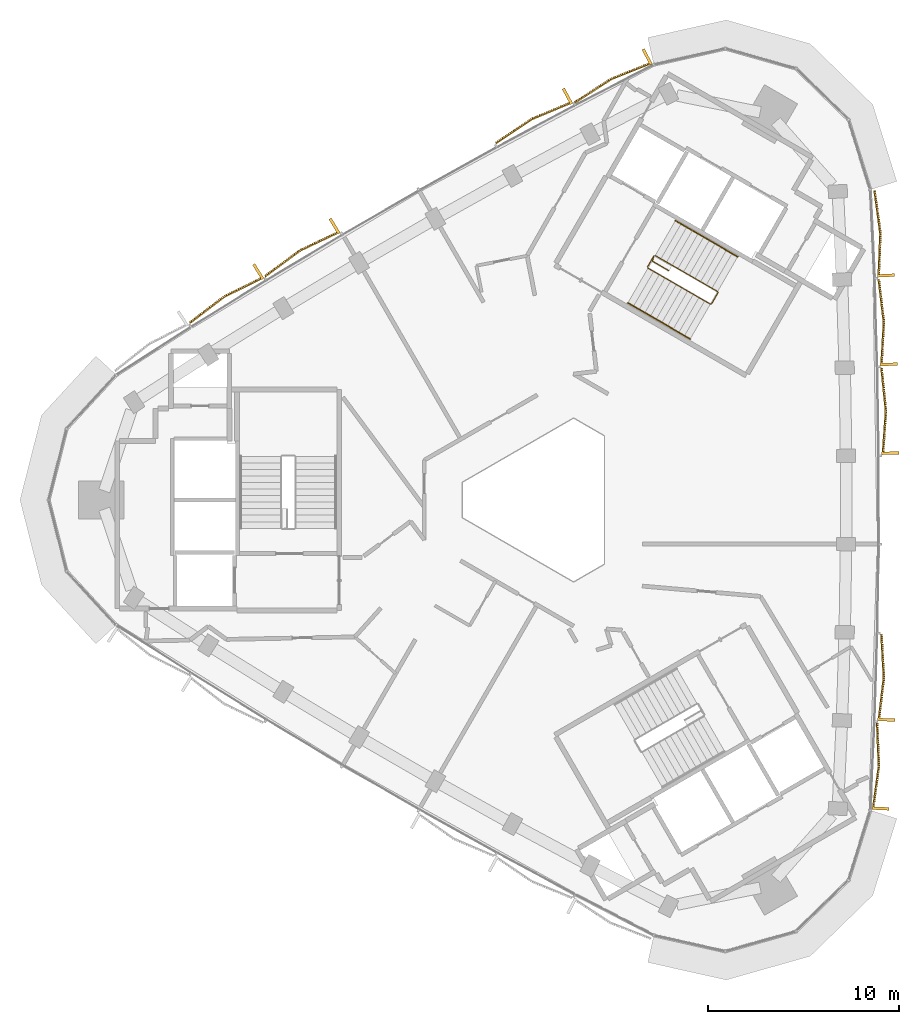
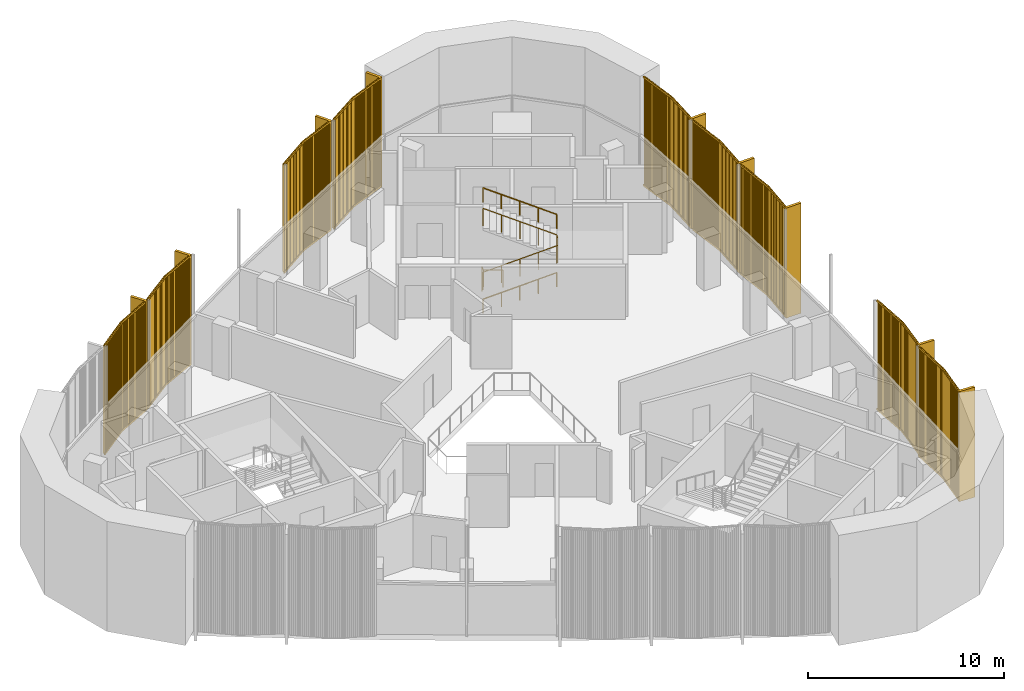
# One storey, part 12 of 13: 9 coverings, 3 railings.
"""IFC4 building model written with IfcOpenShell, lengths in metres."""

from ifc_helpers import new_model, si_unit, direction, frame, frame_2d, origin, origin_2d, place, context, subcontext, project, spatial, rectangle, circle, extrude, source, transform, mapped, material, type_object, element, save


model = new_model("IFC4")

# Units and contexts
model_context = context("Model", 3, precision=1e-05, world=origin(), true_north=direction((0.0, 1.0)))
body_context = subcontext(model_context, "Body", "Model", "MODEL_VIEW")
ifc_project = project(units=[si_unit("LENGTHUNIT", "METRE"), si_unit("AREAUNIT", "SQUARE_METRE"), si_unit("VOLUMEUNIT", "CUBIC_METRE"), si_unit("PLANEANGLEUNIT", "RADIAN"), si_unit("MASSUNIT", "GRAM", prefix="KILO")], contexts=[model_context])

# Site, building, storey
site_placement = place(None, origin())
site = spatial("IfcSite", under=ifc_project, at=site_placement, CompositionType="ELEMENT")
building_placement = place(site_placement, origin())
building = spatial("IfcBuilding", under=site, at=building_placement, Name="Tamra Quay Hotel Tower", CompositionType="ELEMENT")
storey_placement = place(building_placement, frame((0.0, 0.0, 291.0)))
storey = spatial("IfcBuildingStorey", under=building, at=storey_placement, Name="L73", CompositionType="ELEMENT", Elevation=291.0)

# Railings
ifc_material_1 = material(Name="Stair guard 1100")
railing_type_1 = type_object("IfcRailingType", Name="Stair guard 1100", PredefinedType="GUARDRAIL", material=ifc_material_1)
railing_1_placement = place(storey_placement, frame((6.38232421875, 11.974853515625, 0.0)))
element("IfcRailing", 1, at=railing_1_placement, inside=storey, type_object=railing_type_1, Name="GR", PredefinedType="GUARDRAIL", context=body_context, shape_type="SweptSolid", body=[
    extrude(circle(Radius=0.02392578125, at=origin_2d()), frame((0.0, 0.0, 1.076171875), z_axis=(-0.866010750942, 0.50002537861, 0.0), x_axis=(-0.50002537861, -0.866010750942, 0.0)), (0.0, 0.0, 1.0), 1.0),
    extrude(circle(Radius=0.02392578125, at=origin_2d()), frame((-0.865966796875, 0.5, 1.076171875), z_axis=(0.274497328085, 0.961587862275, 0.0), x_axis=(-0.961587862275, 0.274497328085, 0.0)), (0.0, 0.0, 1.0), 0.2880859375),
    extrude(circle(Radius=0.02392578125, at=origin_2d()), frame((-0.786865234375, 0.777099609375, 1.076171875), z_axis=(-0.499765215335, -0.866160914346, 0.0), x_axis=(0.866160914346, -0.499765215335, 0.0)), (0.0, 0.0, 1.0), 0.658935546875),
    extrude(circle(Radius=0.02392578125, at=origin_2d()), frame((-1.1162109375, 0.206298828125, 1.076171875), z_axis=(0.110525977783, -0.411156637351, 0.904839338113), x_axis=(0.965715946433, 0.259601060869, 0.0)), (0.0, 0.0, 1.0), 0.165771484375),
    extrude(circle(Radius=0.02392578125, at=origin_2d()), frame((-1.097900390625, 0.13818359375, 1.22607421875), z_axis=(0.79305953016, -0.457922937641, 0.401700342053), x_axis=(0.500040788363, 0.866001853331, 0.0)), (0.0, 0.0, 1.0), 4.10791015625),
    extrude(circle(Radius=0.02392578125, at=origin_2d()), frame((2.159912109375, -1.742919921875, 2.8759765625), z_axis=(0.965948051503, 0.258736085224, 0.0), x_axis=(-0.258736085224, 0.965948051503, 0.0)), (0.0, 0.0, 1.0), 0.07080078125),
    extrude(circle(Radius=0.02392578125, at=origin_2d()), frame((2.228271484375, -1.724609375, 2.8759765625), z_axis=(0.500043078269, 0.866000531106, 0.0), x_axis=(-0.866000531106, 0.500043078269, 0.0)), (0.0, 0.0, 1.0), 0.6591796875),
    extrude(circle(Radius=0.02392578125, at=origin_2d()), frame((2.557861328125, -1.15380859375, 2.8759765625), z_axis=(-0.110525977783, 0.411156637351, 0.904839338113), x_axis=(-0.965715946433, -0.259601060869, 0.0)), (0.0, 0.0, 1.0), 0.165771484375),
    extrude(circle(Radius=0.02392578125, at=origin_2d()), frame((2.53955078125, -1.085693359375, 3.02587890625), z_axis=(-0.793081581205, 0.457901355053, 0.401681409319), x_axis=(-0.500012686397, -0.866018079166, 0.0)), (0.0, 0.0, 1.0), 4.108154296875),
    extrude(circle(Radius=0.02099609375, at=origin_2d()), origin(), (0.0, 0.0, 1.0), 1.052001953125),
    extrude(circle(Radius=0.02099609375, at=origin_2d()), frame((-0.865966796875, 0.5, 0.0)), (0.0, 0.0, 1.0), 1.052001953125),
    extrude(circle(Radius=0.02099609375, at=origin_2d()), frame((-0.786865234375, 0.777099609375, 0.0)), (0.0, 0.0, 1.0), 1.052001953125),
    extrude(circle(Radius=0.02099609375, at=origin_2d()), frame((-1.1162109375, 0.206298828125, 0.0)), (0.0, 0.0, 1.0), 1.052001953125),
    extrude(circle(Radius=0.02099609375, at=origin_2d()), frame((-1.097900390625, 0.13818359375, 0.14990234375)), (0.0, 0.0, 1.0), 1.052001953125),
    extrude(circle(Radius=0.02099609375, at=origin_2d()), frame((-0.283447265625, -0.33203125, 0.5625)), (0.0, 0.0, 1.0), 1.052001953125),
    extrude(circle(Radius=0.02099609375, at=origin_2d()), frame((0.531005859375, -0.80224609375, 0.97509765625)), (0.0, 0.0, 1.0), 1.052001953125),
    extrude(circle(Radius=0.02099609375, at=origin_2d()), frame((1.345458984375, -1.272705078125, 1.387451171875)), (0.0, 0.0, 1.0), 1.052001953125),
    extrude(circle(Radius=0.02099609375, at=origin_2d()), frame((2.159912109375, -1.742919921875, 1.800048828125)), (0.0, 0.0, 1.0), 1.052001953125),
    extrude(circle(Radius=0.02099609375, at=origin_2d()), frame((2.228271484375, -1.724609375, 1.800048828125)), (0.0, 0.0, 1.0), 1.052001953125),
    extrude(circle(Radius=0.02099609375, at=origin_2d()), frame((2.557861328125, -1.15380859375, 1.800048828125)), (0.0, 0.0, 1.0), 1.052001953125),
    extrude(circle(Radius=0.02099609375, at=origin_2d()), frame((2.53955078125, -1.085693359375, 1.949951171875)), (0.0, 0.0, 1.0), 1.052001953125),
    extrude(circle(Radius=0.02099609375, at=origin_2d()), frame((1.72509765625, -0.615478515625, 2.362548828125)), (0.0, 0.0, 1.0), 1.052001953125),
    extrude(circle(Radius=0.02099609375, at=origin_2d()), frame((0.91064453125, -0.14501953125, 2.77490234375)), (0.0, 0.0, 1.0), 1.052001953125),
    extrude(circle(Radius=0.02099609375, at=origin_2d()), frame((0.095947265625, 0.3251953125, 3.1875)), (0.0, 0.0, 1.0), 1.052001953125),
    extrude(circle(Radius=0.02099609375, at=origin_2d()), frame((-0.718505859375, 0.79541015625, 3.60009765625)), (0.0, 0.0, 1.0), 1.052001953125),
])
ifc_material_2 = material(Name="Stair handrail 900")
railing_type_2 = type_object("IfcRailingType", Name="Stair handrail 900", PredefinedType="HANDRAIL", material=ifc_material_2)
railing_2_placement = place(storey_placement, frame((4.234375, 10.294189453125, 0.14990234375)))
element("IfcRailing", 2, at=railing_2_placement, inside=storey, type_object=railing_type_2, Name="HR", PredefinedType="HANDRAIL", context=body_context, shape_type="SweptSolid", body=[
    extrude(circle(Radius=0.02392578125, at=origin_2d()), frame((0.0, 0.0, 0.8759765625), z_axis=(0.793103162556, -0.457854384738, 0.401692339881), x_axis=(0.499964013922, 0.86604617936, 0.0)), (0.0, 0.0, 1.0), 4.10791015625),
    extrude(circle(Radius=0.02099609375, at=origin_2d()), origin(), (0.0, 0.0, 1.0), 0.851806640625),
    extrude(circle(Radius=0.02099609375, at=origin_2d()), frame((0.814453125, -0.47021484375, 0.41259765625)), (0.0, 0.0, 1.0), 0.851806640625),
    extrude(circle(Radius=0.02099609375, at=origin_2d()), frame((1.62890625, -0.9404296875, 0.8251953125)), (0.0, 0.0, 1.0), 0.851806640625),
    extrude(circle(Radius=0.02099609375, at=origin_2d()), frame((2.443603515625, -1.41064453125, 1.237548828125)), (0.0, 0.0, 1.0), 0.851806640625),
    extrude(circle(Radius=0.02099609375, at=origin_2d()), frame((3.258056640625, -1.880859375, 1.650146484375)), (0.0, 0.0, 1.0), 0.851806640625),
])
railing_3_placement = place(storey_placement, frame((9.971923828125, 12.7080078125, 1.949951171875)))
element("IfcRailing", 3, at=railing_3_placement, inside=storey, type_object=railing_type_2, Name="HR", PredefinedType="HANDRAIL", context=body_context, shape_type="SweptSolid", body=[
    extrude(circle(Radius=0.02392578125, at=origin_2d()), frame((0.0, 0.0, 0.8759765625), z_axis=(-0.793103162556, 0.457854384738, 0.401692339881), x_axis=(-0.499964013922, -0.86604617936, 0.0)), (0.0, 0.0, 1.0), 4.10791015625),
    extrude(circle(Radius=0.02099609375, at=origin_2d()), origin(), (0.0, 0.0, 1.0), 0.851806640625),
    extrude(circle(Radius=0.02099609375, at=origin_2d()), frame((-0.814453125, 0.47021484375, 0.41259765625)), (0.0, 0.0, 1.0), 0.851806640625),
    extrude(circle(Radius=0.02099609375, at=origin_2d()), frame((-1.62890625, 0.9404296875, 0.8251953125)), (0.0, 0.0, 1.0), 0.851806640625),
    extrude(circle(Radius=0.02099609375, at=origin_2d()), frame((-2.443603515625, 1.41064453125, 1.237548828125)), (0.0, 0.0, 1.0), 0.851806640625),
    extrude(circle(Radius=0.02099609375, at=origin_2d()), frame((-3.258056640625, 1.880859375, 1.650146484375)), (0.0, 0.0, 1.0), 0.851806640625),
])

# Coverings
ifc_material_3 = material(Name="Terracotta baguette extruded", Category="masonry")
covering_type_1 = type_object("IfcCoveringType", Name="BAGUETTE SCREEN E-V H6850", PredefinedType="USERDEFINED", material=ifc_material_3)
shared_shape_1 = source(origin(), body_context, "Body", "SweptSolid", [
    extrude(rectangle(XDim=2.28125, YDim=0.06005859375, at=frame_2d((1.140625, 0.030029296875))), frame((-2.27783203125, -0.057861328125, -0.1201171875), z_axis=(0.0, 0.0, 1.0), x_axis=(0.996194698092, -0.087155742748, 0.0)), (0.0, 0.0, 1.0), 0.1201171875),
    extrude(rectangle(XDim=2.28125, YDim=0.06005859375, at=frame_2d((1.140625, 0.030029296875))), frame((-2.27783203125, -0.057861328125, -6.85009765625), z_axis=(0.0, 0.0, 1.0), x_axis=(0.996194698092, -0.087155742748, 0.0)), (0.0, 0.0, 1.0), 0.1201171875),
    extrude(rectangle(XDim=0.070068359375, YDim=0.10009765625, at=frame_2d((0.03515625, 0.050048828125))), frame((-2.258056640625, -0.13232421875, -6.7900390625)), (0.0, 0.0, 1.0), 6.72998046875),
    extrude(rectangle(XDim=0.070068359375, YDim=0.10009765625, at=frame_2d((0.03515625, 0.050048828125))), frame((-2.1591796875, -0.140869140625, -6.7900390625)), (0.0, 0.0, 1.0), 6.72998046875),
    extrude(rectangle(XDim=0.070068359375, YDim=0.10009765625, at=frame_2d((0.03515625, 0.050048828125))), frame((-2.060546875, -0.149658203125, -6.7900390625)), (0.0, 0.0, 1.0), 6.72998046875),
    extrude(rectangle(XDim=0.070068359375, YDim=0.10009765625, at=frame_2d((0.03515625, 0.050048828125))), frame((-1.961669921875, -0.158203125, -6.7900390625)), (0.0, 0.0, 1.0), 6.72998046875),
    extrude(rectangle(XDim=0.070068359375, YDim=0.10009765625, at=frame_2d((0.03515625, 0.050048828125))), frame((-1.86279296875, -0.1669921875, -6.7900390625)), (0.0, 0.0, 1.0), 6.72998046875),
    extrude(rectangle(XDim=0.070068359375, YDim=0.10009765625, at=frame_2d((0.03515625, 0.050048828125))), frame((-1.76416015625, -0.175537109375, -6.7900390625)), (0.0, 0.0, 1.0), 6.72998046875),
    extrude(rectangle(XDim=0.070068359375, YDim=0.10009765625, at=frame_2d((0.03515625, 0.050048828125))), frame((-1.665283203125, -0.18408203125, -6.7900390625)), (0.0, 0.0, 1.0), 6.72998046875),
    extrude(rectangle(XDim=0.070068359375, YDim=0.10009765625, at=frame_2d((0.03515625, 0.050048828125))), frame((-1.56640625, -0.19287109375, -6.7900390625)), (0.0, 0.0, 1.0), 6.72998046875),
    extrude(rectangle(XDim=0.070068359375, YDim=0.10009765625, at=frame_2d((0.03515625, 0.050048828125))), frame((-1.4677734375, -0.201416015625, -6.7900390625)), (0.0, 0.0, 1.0), 6.72998046875),
    extrude(rectangle(XDim=0.070068359375, YDim=0.10009765625, at=frame_2d((0.03515625, 0.050048828125))), frame((-1.368896484375, -0.210205078125, -6.7900390625)), (0.0, 0.0, 1.0), 6.72998046875),
    extrude(rectangle(XDim=0.070068359375, YDim=0.10009765625, at=frame_2d((0.03515625, 0.050048828125))), frame((-1.27001953125, -0.21875, -6.7900390625)), (0.0, 0.0, 1.0), 6.72998046875),
    extrude(rectangle(XDim=0.070068359375, YDim=0.10009765625, at=frame_2d((0.03515625, 0.050048828125))), frame((-1.171142578125, -0.227294921875, -6.7900390625)), (0.0, 0.0, 1.0), 6.72998046875),
    extrude(rectangle(XDim=0.070068359375, YDim=0.10009765625, at=frame_2d((0.03515625, 0.050048828125))), frame((-1.072509765625, -0.236083984375, -6.7900390625)), (0.0, 0.0, 1.0), 6.72998046875),
    extrude(rectangle(XDim=0.070068359375, YDim=0.10009765625, at=frame_2d((0.03515625, 0.050048828125))), frame((-0.9736328125, -0.24462890625, -6.7900390625)), (0.0, 0.0, 1.0), 6.72998046875),
    extrude(rectangle(XDim=0.070068359375, YDim=0.10009765625, at=frame_2d((0.03515625, 0.050048828125))), frame((-0.874755859375, -0.25341796875, -6.7900390625)), (0.0, 0.0, 1.0), 6.72998046875),
    extrude(rectangle(XDim=0.070068359375, YDim=0.10009765625, at=frame_2d((0.03515625, 0.050048828125))), frame((-0.776123046875, -0.261962890625, -6.7900390625)), (0.0, 0.0, 1.0), 6.72998046875),
    extrude(rectangle(XDim=0.070068359375, YDim=0.10009765625, at=frame_2d((0.03515625, 0.050048828125))), frame((-0.67724609375, -0.270751953125, -6.7900390625)), (0.0, 0.0, 1.0), 6.72998046875),
    extrude(rectangle(XDim=0.070068359375, YDim=0.10009765625, at=frame_2d((0.03515625, 0.050048828125))), frame((-0.578369140625, -0.279296875, -6.7900390625)), (0.0, 0.0, 1.0), 6.72998046875),
    extrude(rectangle(XDim=0.070068359375, YDim=0.10009765625, at=frame_2d((0.03515625, 0.050048828125))), frame((-0.479736328125, -0.287841796875, -6.7900390625)), (0.0, 0.0, 1.0), 6.72998046875),
    extrude(rectangle(XDim=0.070068359375, YDim=0.10009765625, at=frame_2d((0.03515625, 0.050048828125))), frame((-0.380859375, -0.296630859375, -6.7900390625)), (0.0, 0.0, 1.0), 6.72998046875),
    extrude(rectangle(XDim=0.070068359375, YDim=0.10009765625, at=frame_2d((0.03515625, 0.050048828125))), frame((-0.281982421875, -0.30517578125, -6.7900390625)), (0.0, 0.0, 1.0), 6.72998046875),
    extrude(rectangle(XDim=0.070068359375, YDim=0.10009765625, at=frame_2d((0.03515625, 0.050048828125))), frame((-0.18310546875, -0.31396484375, -6.7900390625)), (0.0, 0.0, 1.0), 6.72998046875),
    extrude(rectangle(XDim=0.070068359375, YDim=0.10009765625, at=frame_2d((0.03515625, 0.050048828125))), frame((-0.08447265625, -0.322509765625, -6.7900390625)), (0.0, 0.0, 1.0), 6.72998046875),
    extrude(rectangle(XDim=2.28125, YDim=0.06005859375, at=frame_2d((1.140625, 0.030029296875))), frame((0.005126953125, -0.256591796875, -0.1201171875), z_axis=(0.0, 0.0, 1.0), x_axis=(0.996194698092, 0.087155742748, 0.0)), (0.0, 0.0, 1.0), 0.1201171875),
    extrude(rectangle(XDim=2.28125, YDim=0.06005859375, at=frame_2d((1.140625, 0.030029296875))), frame((0.005126953125, -0.256591796875, -6.85009765625), z_axis=(0.0, 0.0, 1.0), x_axis=(0.996194698092, 0.087155742748, 0.0)), (0.0, 0.0, 1.0), 0.1201171875),
    extrude(rectangle(XDim=0.070068359375, YDim=0.10009765625, at=frame_2d((0.03515625, 0.050048828125))), frame((0.014404296875, -0.322509765625, -6.7900390625)), (0.0, 0.0, 1.0), 6.72998046875),
    extrude(rectangle(XDim=0.070068359375, YDim=0.10009765625, at=frame_2d((0.03515625, 0.050048828125))), frame((0.11328125, -0.31396484375, -6.7900390625)), (0.0, 0.0, 1.0), 6.72998046875),
    extrude(rectangle(XDim=0.070068359375, YDim=0.10009765625, at=frame_2d((0.03515625, 0.050048828125))), frame((0.2119140625, -0.30517578125, -6.7900390625)), (0.0, 0.0, 1.0), 6.72998046875),
    extrude(rectangle(XDim=0.070068359375, YDim=0.10009765625, at=frame_2d((0.03515625, 0.050048828125))), frame((0.310791015625, -0.296630859375, -6.7900390625)), (0.0, 0.0, 1.0), 6.72998046875),
    extrude(rectangle(XDim=0.070068359375, YDim=0.10009765625, at=frame_2d((0.03515625, 0.050048828125))), frame((0.40966796875, -0.287841796875, -6.7900390625)), (0.0, 0.0, 1.0), 6.72998046875),
    extrude(rectangle(XDim=0.070068359375, YDim=0.10009765625, at=frame_2d((0.03515625, 0.050048828125))), frame((0.50830078125, -0.279296875, -6.7900390625)), (0.0, 0.0, 1.0), 6.72998046875),
    extrude(rectangle(XDim=0.070068359375, YDim=0.10009765625, at=frame_2d((0.03515625, 0.050048828125))), frame((0.607177734375, -0.270751953125, -6.7900390625)), (0.0, 0.0, 1.0), 6.72998046875),
    extrude(rectangle(XDim=0.070068359375, YDim=0.10009765625, at=frame_2d((0.03515625, 0.050048828125))), frame((0.7060546875, -0.261962890625, -6.7900390625)), (0.0, 0.0, 1.0), 6.72998046875),
    extrude(rectangle(XDim=0.070068359375, YDim=0.10009765625, at=frame_2d((0.03515625, 0.050048828125))), frame((0.804931640625, -0.25341796875, -6.7900390625)), (0.0, 0.0, 1.0), 6.72998046875),
    extrude(rectangle(XDim=0.070068359375, YDim=0.10009765625, at=frame_2d((0.03515625, 0.050048828125))), frame((0.903564453125, -0.24462890625, -6.7900390625)), (0.0, 0.0, 1.0), 6.72998046875),
    extrude(rectangle(XDim=0.070068359375, YDim=0.10009765625, at=frame_2d((0.03515625, 0.050048828125))), frame((1.00244140625, -0.236083984375, -6.7900390625)), (0.0, 0.0, 1.0), 6.72998046875),
    extrude(rectangle(XDim=0.070068359375, YDim=0.10009765625, at=frame_2d((0.03515625, 0.050048828125))), frame((1.101318359375, -0.227294921875, -6.7900390625)), (0.0, 0.0, 1.0), 6.72998046875),
    extrude(rectangle(XDim=0.070068359375, YDim=0.10009765625, at=frame_2d((0.03515625, 0.050048828125))), frame((1.199951171875, -0.21875, -6.7900390625)), (0.0, 0.0, 1.0), 6.72998046875),
    extrude(rectangle(XDim=0.070068359375, YDim=0.10009765625, at=frame_2d((0.03515625, 0.050048828125))), frame((1.298828125, -0.210205078125, -6.7900390625)), (0.0, 0.0, 1.0), 6.72998046875),
    extrude(rectangle(XDim=0.070068359375, YDim=0.10009765625, at=frame_2d((0.03515625, 0.050048828125))), frame((1.397705078125, -0.201416015625, -6.7900390625)), (0.0, 0.0, 1.0), 6.72998046875),
    extrude(rectangle(XDim=0.070068359375, YDim=0.10009765625, at=frame_2d((0.03515625, 0.050048828125))), frame((1.49658203125, -0.19287109375, -6.7900390625)), (0.0, 0.0, 1.0), 6.72998046875),
    extrude(rectangle(XDim=0.070068359375, YDim=0.10009765625, at=frame_2d((0.03515625, 0.050048828125))), frame((1.59521484375, -0.18408203125, -6.7900390625)), (0.0, 0.0, 1.0), 6.72998046875),
    extrude(rectangle(XDim=0.070068359375, YDim=0.10009765625, at=frame_2d((0.03515625, 0.050048828125))), frame((1.694091796875, -0.175537109375, -6.7900390625)), (0.0, 0.0, 1.0), 6.72998046875),
    extrude(rectangle(XDim=0.070068359375, YDim=0.10009765625, at=frame_2d((0.03515625, 0.050048828125))), frame((1.79296875, -0.1669921875, -6.7900390625)), (0.0, 0.0, 1.0), 6.72998046875),
    extrude(rectangle(XDim=0.070068359375, YDim=0.10009765625, at=frame_2d((0.03515625, 0.050048828125))), frame((1.8916015625, -0.158203125, -6.7900390625)), (0.0, 0.0, 1.0), 6.72998046875),
    extrude(rectangle(XDim=0.070068359375, YDim=0.10009765625, at=frame_2d((0.03515625, 0.050048828125))), frame((1.990478515625, -0.149658203125, -6.7900390625)), (0.0, 0.0, 1.0), 6.72998046875),
    extrude(rectangle(XDim=0.070068359375, YDim=0.10009765625, at=frame_2d((0.03515625, 0.050048828125))), frame((2.08935546875, -0.140869140625, -6.7900390625)), (0.0, 0.0, 1.0), 6.72998046875),
    extrude(rectangle(XDim=0.070068359375, YDim=0.10009765625, at=frame_2d((0.03515625, 0.050048828125))), frame((2.18798828125, -0.13232421875, -6.7900390625)), (0.0, 0.0, 1.0), 6.72998046875),
    extrude(rectangle(XDim=0.14990234375, YDim=0.902099609375, at=frame_2d((0.074951171875, 0.451171875))), frame((-2.2724609375, -0.89990234375, -6.85009765625)), (0.0, 0.0, 1.0), 6.85009765625),
])
for number, where, z_axis, x_axis, name in (
    (4, (17.08642578125, -13.899169921875, 6.85009765625), (0.0, 0.0, 1.0), (0.04682126455, 0.998903283199, 0.0), "Baguette screen L73.E.f00"),
    (5, (17.34716796875, -9.2705078125, 6.85009765625), (0.0, 0.0, 1.0), (0.031241804319, 0.999511855689, 0.0), "Baguette screen L73.E.f01"),
    (6, (17.455810546875, 4.63623046875, 6.85009765625), (0.0, 0.0, 1.0), (-0.01563239478, 0.999877806651, 0.0), "Baguette screen L73.E.f04"),
    (7, (17.34716796875, 9.2705078125, 6.85009765625), (0.0, 0.0, 1.0), (-0.031241804319, 0.999511855689, 0.0), "Baguette screen L73.E.f05"),
    (8, (17.166259765625, 13.903076171875, 6.85009765625), (0.0, 0.0, 1.0), (-0.04682126455, 0.998903283199, 0.0), "Baguette screen L73.E.f06"),
):
    element("IfcCovering", number, at=place(storey_placement, frame(where, z_axis=z_axis, x_axis=x_axis)), inside=storey, type_object=covering_type_1, Name=name, ObjectType="BAGUETTE SCREEN", PredefinedType="USERDEFINED", context=body_context, shape_type="MappedRepresentation", body=[
        mapped(shared_shape_1, transform((0.0, 0.0, 0.0), scale=1.0)),
    ])
covering_type_2 = type_object("IfcCoveringType", Name="BAGUETTE SCREEN NW-V H6850", PredefinedType="USERDEFINED", material=ifc_material_3)
shared_shape_2 = source(origin(), body_context, "Body", "SweptSolid", [
    extrude(rectangle(XDim=2.282958984375, YDim=0.06005859375, at=frame_2d((1.1416015625, 0.030029296875))), frame((-2.2783203125, -0.0576171875, -0.1201171875), z_axis=(0.0, 0.0, 1.0), x_axis=(0.995396198367, -0.09584575252, 0.0)), (0.0, 0.0, 1.0), 0.1201171875),
    extrude(rectangle(XDim=2.282958984375, YDim=0.06005859375, at=frame_2d((1.1416015625, 0.030029296875))), frame((-2.2783203125, -0.0576171875, -6.85009765625), z_axis=(0.0, 0.0, 1.0), x_axis=(0.995396198367, -0.09584575252, 0.0)), (0.0, 0.0, 1.0), 0.1201171875),
    extrude(rectangle(XDim=0.070068359375, YDim=0.10009765625, at=frame_2d((0.03515625, 0.050048828125))), frame((-2.258056640625, -0.1328125, -6.7900390625)), (0.0, 0.0, 1.0), 6.72998046875),
    extrude(rectangle(XDim=0.070068359375, YDim=0.10009765625, at=frame_2d((0.03515625, 0.050048828125))), frame((-2.1591796875, -0.142333984375, -6.7900390625)), (0.0, 0.0, 1.0), 6.72998046875),
    extrude(rectangle(XDim=0.070068359375, YDim=0.10009765625, at=frame_2d((0.03515625, 0.050048828125))), frame((-2.060546875, -0.15185546875, -6.7900390625)), (0.0, 0.0, 1.0), 6.72998046875),
    extrude(rectangle(XDim=0.070068359375, YDim=0.10009765625, at=frame_2d((0.03515625, 0.050048828125))), frame((-1.961669921875, -0.161376953125, -6.7900390625)), (0.0, 0.0, 1.0), 6.72998046875),
    extrude(rectangle(XDim=0.070068359375, YDim=0.10009765625, at=frame_2d((0.03515625, 0.050048828125))), frame((-1.86279296875, -0.1708984375, -6.7900390625)), (0.0, 0.0, 1.0), 6.72998046875),
    extrude(rectangle(XDim=0.070068359375, YDim=0.10009765625, at=frame_2d((0.03515625, 0.050048828125))), frame((-1.76416015625, -0.180419921875, -6.7900390625)), (0.0, 0.0, 1.0), 6.72998046875),
    extrude(rectangle(XDim=0.070068359375, YDim=0.10009765625, at=frame_2d((0.03515625, 0.050048828125))), frame((-1.665283203125, -0.18994140625, -6.7900390625)), (0.0, 0.0, 1.0), 6.72998046875),
    extrude(rectangle(XDim=0.070068359375, YDim=0.10009765625, at=frame_2d((0.03515625, 0.050048828125))), frame((-1.56640625, -0.199462890625, -6.7900390625)), (0.0, 0.0, 1.0), 6.72998046875),
    extrude(rectangle(XDim=0.070068359375, YDim=0.10009765625, at=frame_2d((0.03515625, 0.050048828125))), frame((-1.4677734375, -0.208984375, -6.7900390625)), (0.0, 0.0, 1.0), 6.72998046875),
    extrude(rectangle(XDim=0.070068359375, YDim=0.10009765625, at=frame_2d((0.03515625, 0.050048828125))), frame((-1.368896484375, -0.21826171875, -6.7900390625)), (0.0, 0.0, 1.0), 6.72998046875),
    extrude(rectangle(XDim=0.070068359375, YDim=0.10009765625, at=frame_2d((0.03515625, 0.050048828125))), frame((-1.27001953125, -0.227783203125, -6.7900390625)), (0.0, 0.0, 1.0), 6.72998046875),
    extrude(rectangle(XDim=0.070068359375, YDim=0.10009765625, at=frame_2d((0.03515625, 0.050048828125))), frame((-1.171142578125, -0.2373046875, -6.7900390625)), (0.0, 0.0, 1.0), 6.72998046875),
    extrude(rectangle(XDim=0.070068359375, YDim=0.10009765625, at=frame_2d((0.03515625, 0.050048828125))), frame((-1.072509765625, -0.246826171875, -6.7900390625)), (0.0, 0.0, 1.0), 6.72998046875),
    extrude(rectangle(XDim=0.070068359375, YDim=0.10009765625, at=frame_2d((0.03515625, 0.050048828125))), frame((-0.9736328125, -0.25634765625, -6.7900390625)), (0.0, 0.0, 1.0), 6.72998046875),
    extrude(rectangle(XDim=0.070068359375, YDim=0.10009765625, at=frame_2d((0.03515625, 0.050048828125))), frame((-0.874755859375, -0.265869140625, -6.7900390625)), (0.0, 0.0, 1.0), 6.72998046875),
    extrude(rectangle(XDim=0.070068359375, YDim=0.10009765625, at=frame_2d((0.03515625, 0.050048828125))), frame((-0.776123046875, -0.275390625, -6.7900390625)), (0.0, 0.0, 1.0), 6.72998046875),
    extrude(rectangle(XDim=0.070068359375, YDim=0.10009765625, at=frame_2d((0.03515625, 0.050048828125))), frame((-0.67724609375, -0.284912109375, -6.7900390625)), (0.0, 0.0, 1.0), 6.72998046875),
    extrude(rectangle(XDim=0.070068359375, YDim=0.10009765625, at=frame_2d((0.03515625, 0.050048828125))), frame((-0.578369140625, -0.29443359375, -6.7900390625)), (0.0, 0.0, 1.0), 6.72998046875),
    extrude(rectangle(XDim=0.070068359375, YDim=0.10009765625, at=frame_2d((0.03515625, 0.050048828125))), frame((-0.479736328125, -0.303955078125, -6.7900390625)), (0.0, 0.0, 1.0), 6.72998046875),
    extrude(rectangle(XDim=0.070068359375, YDim=0.10009765625, at=frame_2d((0.03515625, 0.050048828125))), frame((-0.380859375, -0.3134765625, -6.7900390625)), (0.0, 0.0, 1.0), 6.72998046875),
    extrude(rectangle(XDim=0.070068359375, YDim=0.10009765625, at=frame_2d((0.03515625, 0.050048828125))), frame((-0.281982421875, -0.322998046875, -6.7900390625)), (0.0, 0.0, 1.0), 6.72998046875),
    extrude(rectangle(XDim=0.070068359375, YDim=0.10009765625, at=frame_2d((0.03515625, 0.050048828125))), frame((-0.18310546875, -0.33251953125, -6.7900390625)), (0.0, 0.0, 1.0), 6.72998046875),
    extrude(rectangle(XDim=0.070068359375, YDim=0.10009765625, at=frame_2d((0.03515625, 0.050048828125))), frame((-0.08447265625, -0.342041015625, -6.7900390625)), (0.0, 0.0, 1.0), 6.72998046875),
    extrude(rectangle(XDim=2.282958984375, YDim=0.06005859375, at=frame_2d((1.1416015625, 0.030029296875))), frame((0.005859375, -0.276611328125, -0.1201171875), z_axis=(0.0, 0.0, 1.0), x_axis=(0.995396198367, 0.09584575252, 0.0)), (0.0, 0.0, 1.0), 0.1201171875),
    extrude(rectangle(XDim=2.282958984375, YDim=0.06005859375, at=frame_2d((1.1416015625, 0.030029296875))), frame((0.005859375, -0.276611328125, -6.85009765625), z_axis=(0.0, 0.0, 1.0), x_axis=(0.995396198367, 0.09584575252, 0.0)), (0.0, 0.0, 1.0), 0.1201171875),
    extrude(rectangle(XDim=0.070068359375, YDim=0.10009765625, at=frame_2d((0.03515625, 0.050048828125))), frame((0.014404296875, -0.342041015625, -6.7900390625)), (0.0, 0.0, 1.0), 6.72998046875),
    extrude(rectangle(XDim=0.070068359375, YDim=0.10009765625, at=frame_2d((0.03515625, 0.050048828125))), frame((0.11328125, -0.33251953125, -6.7900390625)), (0.0, 0.0, 1.0), 6.72998046875),
    extrude(rectangle(XDim=0.070068359375, YDim=0.10009765625, at=frame_2d((0.03515625, 0.050048828125))), frame((0.2119140625, -0.322998046875, -6.7900390625)), (0.0, 0.0, 1.0), 6.72998046875),
    extrude(rectangle(XDim=0.070068359375, YDim=0.10009765625, at=frame_2d((0.03515625, 0.050048828125))), frame((0.310791015625, -0.3134765625, -6.7900390625)), (0.0, 0.0, 1.0), 6.72998046875),
    extrude(rectangle(XDim=0.070068359375, YDim=0.10009765625, at=frame_2d((0.03515625, 0.050048828125))), frame((0.40966796875, -0.303955078125, -6.7900390625)), (0.0, 0.0, 1.0), 6.72998046875),
    extrude(rectangle(XDim=0.070068359375, YDim=0.10009765625, at=frame_2d((0.03515625, 0.050048828125))), frame((0.50830078125, -0.29443359375, -6.7900390625)), (0.0, 0.0, 1.0), 6.72998046875),
    extrude(rectangle(XDim=0.070068359375, YDim=0.10009765625, at=frame_2d((0.03515625, 0.050048828125))), frame((0.607177734375, -0.284912109375, -6.7900390625)), (0.0, 0.0, 1.0), 6.72998046875),
    extrude(rectangle(XDim=0.070068359375, YDim=0.10009765625, at=frame_2d((0.03515625, 0.050048828125))), frame((0.7060546875, -0.275390625, -6.7900390625)), (0.0, 0.0, 1.0), 6.72998046875),
    extrude(rectangle(XDim=0.070068359375, YDim=0.10009765625, at=frame_2d((0.03515625, 0.050048828125))), frame((0.804931640625, -0.265869140625, -6.7900390625)), (0.0, 0.0, 1.0), 6.72998046875),
    extrude(rectangle(XDim=0.070068359375, YDim=0.10009765625, at=frame_2d((0.03515625, 0.050048828125))), frame((0.903564453125, -0.25634765625, -6.7900390625)), (0.0, 0.0, 1.0), 6.72998046875),
    extrude(rectangle(XDim=0.070068359375, YDim=0.10009765625, at=frame_2d((0.03515625, 0.050048828125))), frame((1.00244140625, -0.246826171875, -6.7900390625)), (0.0, 0.0, 1.0), 6.72998046875),
    extrude(rectangle(XDim=0.070068359375, YDim=0.10009765625, at=frame_2d((0.03515625, 0.050048828125))), frame((1.101318359375, -0.2373046875, -6.7900390625)), (0.0, 0.0, 1.0), 6.72998046875),
    extrude(rectangle(XDim=0.070068359375, YDim=0.10009765625, at=frame_2d((0.03515625, 0.050048828125))), frame((1.199951171875, -0.227783203125, -6.7900390625)), (0.0, 0.0, 1.0), 6.72998046875),
    extrude(rectangle(XDim=0.070068359375, YDim=0.10009765625, at=frame_2d((0.03515625, 0.050048828125))), frame((1.298828125, -0.21826171875, -6.7900390625)), (0.0, 0.0, 1.0), 6.72998046875),
    extrude(rectangle(XDim=0.070068359375, YDim=0.10009765625, at=frame_2d((0.03515625, 0.050048828125))), frame((1.397705078125, -0.208984375, -6.7900390625)), (0.0, 0.0, 1.0), 6.72998046875),
    extrude(rectangle(XDim=0.070068359375, YDim=0.10009765625, at=frame_2d((0.03515625, 0.050048828125))), frame((1.49658203125, -0.199462890625, -6.7900390625)), (0.0, 0.0, 1.0), 6.72998046875),
    extrude(rectangle(XDim=0.070068359375, YDim=0.10009765625, at=frame_2d((0.03515625, 0.050048828125))), frame((1.59521484375, -0.18994140625, -6.7900390625)), (0.0, 0.0, 1.0), 6.72998046875),
    extrude(rectangle(XDim=0.070068359375, YDim=0.10009765625, at=frame_2d((0.03515625, 0.050048828125))), frame((1.694091796875, -0.180419921875, -6.7900390625)), (0.0, 0.0, 1.0), 6.72998046875),
    extrude(rectangle(XDim=0.070068359375, YDim=0.10009765625, at=frame_2d((0.03515625, 0.050048828125))), frame((1.79296875, -0.1708984375, -6.7900390625)), (0.0, 0.0, 1.0), 6.72998046875),
    extrude(rectangle(XDim=0.070068359375, YDim=0.10009765625, at=frame_2d((0.03515625, 0.050048828125))), frame((1.8916015625, -0.161376953125, -6.7900390625)), (0.0, 0.0, 1.0), 6.72998046875),
    extrude(rectangle(XDim=0.070068359375, YDim=0.10009765625, at=frame_2d((0.03515625, 0.050048828125))), frame((1.990478515625, -0.15185546875, -6.7900390625)), (0.0, 0.0, 1.0), 6.72998046875),
    extrude(rectangle(XDim=0.070068359375, YDim=0.10009765625, at=frame_2d((0.03515625, 0.050048828125))), frame((2.08935546875, -0.142333984375, -6.7900390625)), (0.0, 0.0, 1.0), 6.72998046875),
    extrude(rectangle(XDim=0.070068359375, YDim=0.10009765625, at=frame_2d((0.03515625, 0.050048828125))), frame((2.18798828125, -0.1328125, -6.7900390625)), (0.0, 0.0, 1.0), 6.72998046875),
    extrude(rectangle(XDim=0.14990234375, YDim=0.902099609375, at=frame_2d((0.074951171875, 0.451171875))), frame((-2.2724609375, -0.89990234375, -6.85009765625)), (0.0, 0.0, 1.0), 6.85009765625),
])
for number, where, z_axis, x_axis, name in (
    (9, (3.493896484375, 21.746826171875, 6.85009765625), (0.0, 0.0, 1.0), (-0.888486251449, -0.458903237062, 0.0), "Baguette screen L73.NW.f00"),
    (10, (-0.64501953125, 19.658447265625, 6.85009765625), (0.0, 0.0, 1.0), (-0.88122356057, -0.472699731644, 0.0), "Baguette screen L73.NW.f01"),
    (11, (-12.742919921875, 12.799072265625, 6.85009765625), (0.0, 0.0, 1.0), (-0.85810338385, -0.513476954327, 0.0), "Baguette screen L73.NW.f04"),
    (12, (-16.7021484375, 10.387939453125, 6.85009765625), (0.0, 0.0, 1.0), (-0.849981756251, -0.526812124045, 0.0), "Baguette screen L73.NW.f05"),
):
    element("IfcCovering", number, at=place(storey_placement, frame(where, z_axis=z_axis, x_axis=x_axis)), inside=storey, type_object=covering_type_2, Name=name, ObjectType="BAGUETTE SCREEN", PredefinedType="USERDEFINED", context=body_context, shape_type="MappedRepresentation", body=[
        mapped(shared_shape_2, transform((0.0, 0.0, 0.0), scale=1.0)),
    ])

save(model, "model.ifc")
